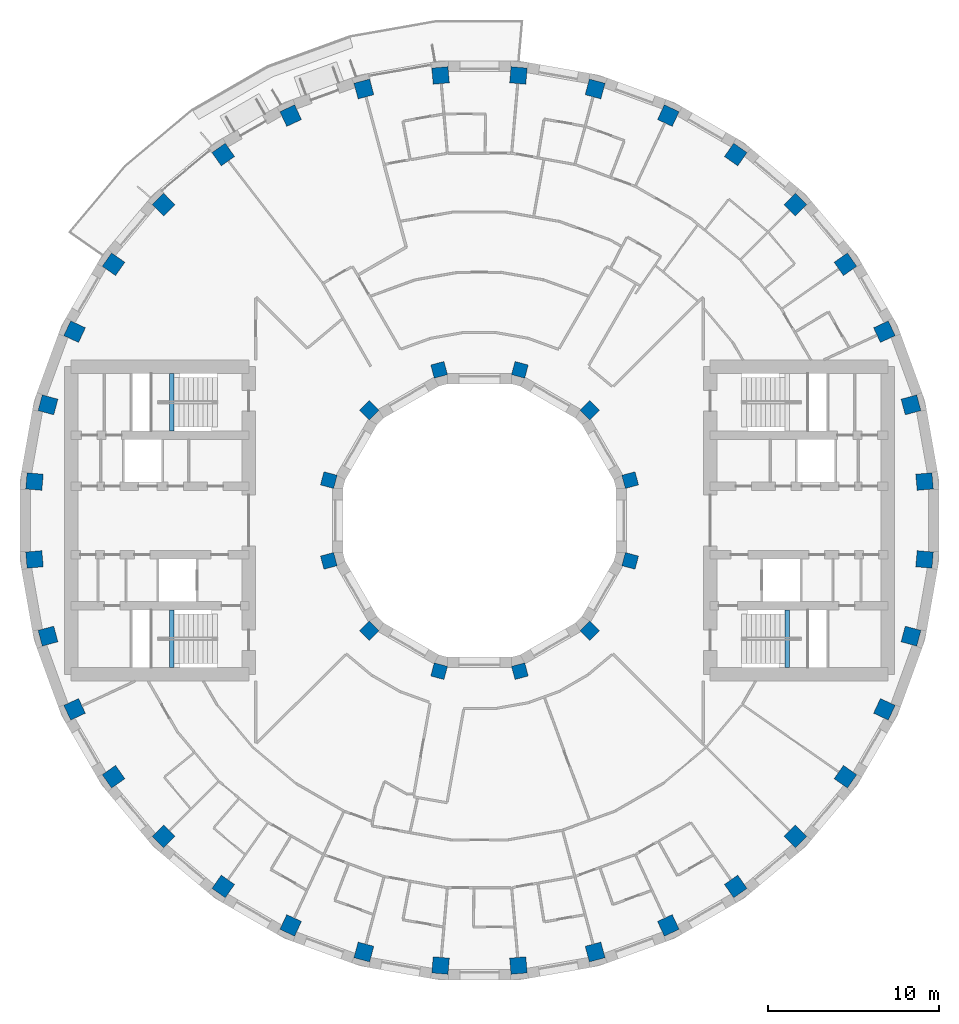
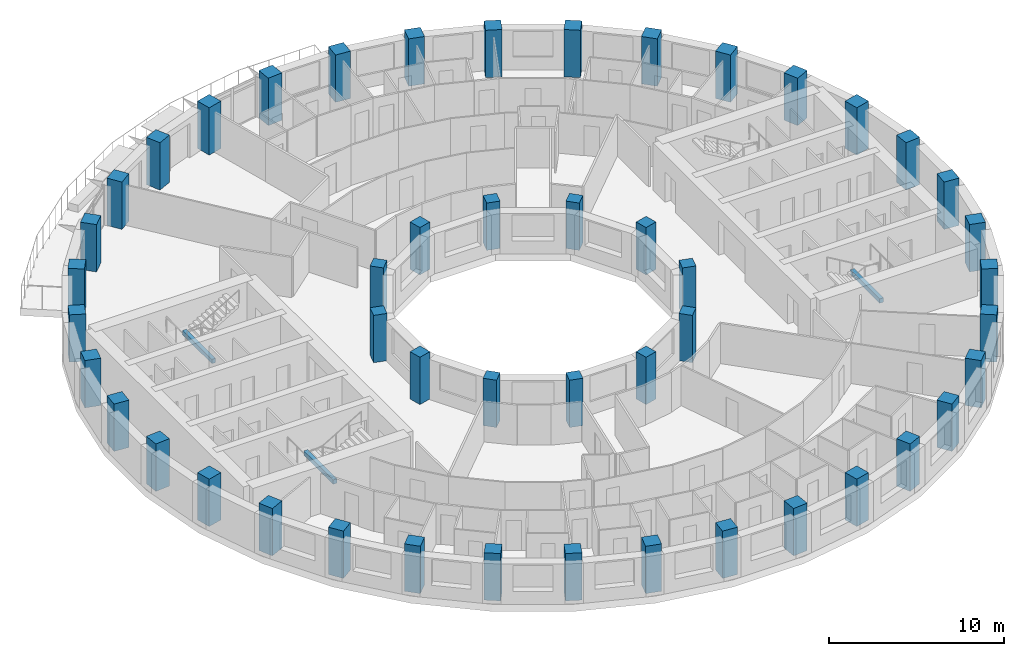
# One storey, part 1 of 14: 48 columns, 3 beams.
"""IFC4 building model written with IfcOpenShell, lengths in metres."""

import ifcopenshell
import ifcopenshell.guid

model = None  # the IFC model being written
_history = None  # IfcOwnerHistory: only IFC2X3 demands one
_inside = {}  # id of a spatial element -> (the spatial element, [elements in it])
_under = {}  # id of a project, library or spatial element -> (it, [spatial elements below it])
_declared = {}  # id of a project -> (the project, [libraries it declares])
_typed = {}  # id of a type object -> (the type object, [elements of that type])
_made_of = {}  # id of a material, layer set ... -> (it, [elements and type objects made of it])


def new_model(schema):
    """Start an empty IFC model of exactly this schema.

    Asked for "IFC4X3", IfcOpenShell would pick the latest addendum, in which some entities
    have other attributes; the version numbers below select the first issue.
    IFC2X3 requires an IfcOwnerHistory on every rooted entity: one is made here for all.
    """
    global model, _history
    if schema == "IFC4X3":
        model = ifcopenshell.file(schema_version=(4, 3, 0, 0))
    else:
        model = ifcopenshell.file(schema=schema)
    _inside.clear()
    _under.clear()
    _declared.clear()
    _typed.clear()
    _made_of.clear()
    _history = None
    if model.schema == "IFC2X3":
        org = make("IfcOrganization", Name="unknown")
        user = make(
            "IfcPersonAndOrganization",
            ThePerson=make("IfcPerson", FamilyName="unknown"),
            TheOrganization=org,
        )
        app = make(
            "IfcApplication",
            ApplicationDeveloper=org,
            Version="unknown",
            ApplicationFullName="unknown",
            ApplicationIdentifier="unknown",
        )
        _history = make(
            "IfcOwnerHistory",
            OwningUser=user,
            OwningApplication=app,
            ChangeAction="ADDED",
            CreationDate=0,
        )
    return model


def make(cls, **values):
    """One entity of the class cls with the attributes given. An attribute that is None is left unset."""
    return model.create_entity(
        cls, **{name: value for name, value in values.items() if value is not None}
    )


def rooted(cls, **values):
    """An entity with a GlobalId (a new one), such as an element, a storey or a relation."""
    return make(cls, GlobalId=ifcopenshell.guid.new(), OwnerHistory=_history, **values)


def si_unit(unit_type, name, prefix=None):
    """IfcSIUnit, for example si_unit("LENGTHUNIT", "METRE", prefix="MILLI")."""
    return make("IfcSIUnit", UnitType=unit_type, Prefix=prefix, Name=name)


def assignment(units):
    """IfcUnitAssignment: the units of a project."""
    return None if units is None else make("IfcUnitAssignment", Units=units)


def point(xyz):
    """IfcCartesianPoint."""
    return None if xyz is None else make("IfcCartesianPoint", Coordinates=xyz)


def direction(xyz):
    """IfcDirection."""
    return None if xyz is None else make("IfcDirection", DirectionRatios=xyz)


def frame(location, z_axis=None, x_axis=None):
    """IfcAxis2Placement3D, a coordinate frame: its origin and axes. An axis left out is left unset."""
    return make(
        "IfcAxis2Placement3D",
        Location=point(location),
        Axis=direction(z_axis),
        RefDirection=direction(x_axis),
    )


def frame_2d(location, x_axis=None):
    """IfcAxis2Placement2D, a coordinate frame in the plane: its origin and x axis."""
    return make(
        "IfcAxis2Placement2D", Location=point(location), RefDirection=direction(x_axis)
    )


def origin():
    """The frame at (0, 0, 0) with its axes left unset."""
    return frame((0.0, 0.0, 0.0))


def origin_2d():
    """The frame at (0, 0) in the plane with its x axis left unset."""
    return frame_2d((0.0, 0.0))


def place(relative_to, where):
    """IfcLocalPlacement: puts the frame where relative to a parent placement (None: the world)."""
    return make(
        "IfcLocalPlacement", PlacementRelTo=relative_to, RelativePlacement=where
    )


def context(
    kind, dimensions, precision=None, world=None, true_north=None, identifier=None
):
    """IfcGeometricRepresentationContext, for example the 3D "Model" context."""
    return make(
        "IfcGeometricRepresentationContext",
        ContextIdentifier=identifier,
        ContextType=kind,
        CoordinateSpaceDimension=dimensions,
        Precision=precision,
        WorldCoordinateSystem=world,
        TrueNorth=true_north,
    )


def subcontext(parent, identifier, kind, view, scale=None):
    """IfcGeometricRepresentationSubContext, for example "Body" below "Model"."""
    return make(
        "IfcGeometricRepresentationSubContext",
        ContextIdentifier=identifier,
        ContextType=kind,
        ParentContext=parent,
        TargetScale=scale,
        TargetView=view,
    )


def project(units=None, contexts=None):
    """IfcProject with its units and contexts."""
    return rooted(
        "IfcProject",
        Name="project",
        RepresentationContexts=contexts,
        UnitsInContext=assignment(units),
    )


def spatial(cls, under=None, at=None, **own):
    """A site, building, storey or space (cls), placed at a placement, below another one or the project."""
    s = rooted(cls, ObjectPlacement=at, **own)
    if under is not None:
        _under.setdefault(under.id(), (under, []))[1].append(s)
    return s


def profile(cls, at=None, kind="AREA", **sizes):
    """A parametric profile (cls). Its sizes go by their IFC names, for example OverallWidth=200.0."""
    return make(cls, ProfileType=kind, Position=at, **sizes)


def rectangle(**sizes):
    """IfcRectangleProfileDef."""
    return profile("IfcRectangleProfileDef", **sizes)


def extrude(swept, where, along, depth):
    """IfcExtrudedAreaSolid: the profile swept, set in the frame where, extruded along a direction by depth."""
    return make(
        "IfcExtrudedAreaSolid",
        SweptArea=swept,
        Position=where,
        ExtrudedDirection=direction(along),
        Depth=depth,
    )


def shape(context_of_items, identifier, shape_type, items):
    """IfcShapeRepresentation: the items that make up one representation, for example the "Body"."""
    return make(
        "IfcShapeRepresentation",
        ContextOfItems=context_of_items,
        RepresentationIdentifier=identifier,
        RepresentationType=shape_type,
        Items=items,
    )


def material(Name=None, Category=None):
    """IfcMaterial."""
    return make("IfcMaterial", Name=Name, Category=Category)


def material_profile(
    of_material, cross_section, Name=None, Category=None, Priority=None
):
    """IfcMaterialProfile: a cross section and its material."""
    return make(
        "IfcMaterialProfile",
        Name=Name,
        Material=of_material,
        Profile=cross_section,
        Priority=Priority,
        Category=Category,
    )


def profile_set(profiles, Name=None, composite=None):
    """IfcMaterialProfileSet."""
    return make(
        "IfcMaterialProfileSet",
        Name=Name,
        MaterialProfiles=profiles,
        CompositeProfile=composite,
    )


def made_of(thing, what):
    """Note that an element or type object is made of a material, layer set ...; save() writes the relation."""
    if what is not None:
        _made_of.setdefault(what.id(), (what, []))[1].append(thing)
    return thing


def type_object(cls, material=None, **own):
    """A type object (cls), such as IfcWallType, which elements share."""
    return made_of(rooted(cls, **own), material)


def element(
    cls,
    number,
    at=None,
    inside=None,
    cuts=None,
    type_object=None,
    material=None,
    context=None,
    identifier="Body",
    shape_type=None,
    held_by="IfcProductDefinitionShape",
    body=None,
    shapes=None,
    **own,
):
    """One element of the class cls, such as IfcWall. Its Tag is "e" and its number.

    at: its placement. inside: the storey or other place that contains it. cuts: it is an
    opening in that element (IfcRelVoidsElement). A single representation is given by context,
    identifier, shape_type and body (its items); several are given by shapes. held_by: the class
    of the entity that holds the representations. save() writes the other relations.
    """
    e = rooted(cls, Tag="e%d" % number, ObjectPlacement=at, **own)
    if body is not None:
        shapes = [shape(context, identifier, shape_type, body)]
    if shapes is not None:
        e.Representation = make(held_by, Representations=shapes)
    if inside is not None:
        _inside.setdefault(inside.id(), (inside, []))[1].append(e)
    if cuts is not None:
        rooted(
            "IfcRelVoidsElement", RelatingBuildingElement=cuts, RelatedOpeningElement=e
        )
    if type_object is not None:
        _typed.setdefault(type_object.id(), (type_object, []))[1].append(e)
    return made_of(e, material)


def aggregate(whole, parts):
    """IfcRelAggregates: a whole, such as a stair, and the parts it consists of."""
    return rooted("IfcRelAggregates", RelatingObject=whole, RelatedObjects=parts)


def save(model, path):
    """Write the relations noted so far, then the file.

    IfcRelAggregates (storeys below a building ...), IfcRelContainedInSpatialStructure (elements
    in a storey), IfcRelDefinesByType, IfcRelAssociatesMaterial and IfcRelDeclares: one each for
    every whole, place, type object, material and project.
    """
    for whole, parts in _under.values():
        aggregate(whole, parts)
    for where, things in _inside.values():
        rooted(
            "IfcRelContainedInSpatialStructure",
            RelatedElements=things,
            RelatingStructure=where,
        )
    for kind, things in _typed.values():
        rooted("IfcRelDefinesByType", RelatedObjects=things, RelatingType=kind)
    for what, things in _made_of.values():
        rooted("IfcRelAssociatesMaterial", RelatedObjects=things, RelatingMaterial=what)
    for by, libraries in _declared.values():
        rooted("IfcRelDeclares", RelatingContext=by, RelatedDefinitions=libraries)
    model.write(path)


model = new_model("IFC4")

# Units and contexts
model_context = context("Model", 3, precision=1e-05, world=origin(), true_north=direction((0.0, 1.0)))
body_context = subcontext(model_context, "Body", "Model", "MODEL_VIEW")
ifc_project = project(units=[si_unit("LENGTHUNIT", "METRE"), si_unit("AREAUNIT", "SQUARE_METRE"), si_unit("VOLUMEUNIT", "CUBIC_METRE"), si_unit("PLANEANGLEUNIT", "RADIAN"), si_unit("MASSUNIT", "GRAM", prefix="KILO")], contexts=[model_context])

# Site, building, storey
site_placement = place(None, origin())
site = spatial("IfcSite", under=ifc_project, at=site_placement, CompositionType="ELEMENT")
building_placement = place(site_placement, origin())
building = spatial("IfcBuilding", under=site, at=building_placement, Name="Saqina Gate Tower", CompositionType="ELEMENT")
storey_placement = place(building_placement, frame((0.0, 0.0, 91.89990234375)))
storey = spatial("IfcBuildingStorey", under=building, at=storey_placement, Name="L25", CompositionType="ELEMENT", Elevation=91.89990234375)

# Columns
ifc_material_1 = material(Name="Concrete C70/85", Category="concrete")
ifc_material_profile_1 = material_profile(ifc_material_1, rectangle(XDim=0.800048828125, YDim=0.800048828125, at=origin_2d()), Name="RC 800x800")
ifc_profile_set_1 = profile_set([ifc_material_profile_1], Name="Concrete C70/85")
column_type_1 = type_object("IfcColumnType", Name="STR-COL-IN-B", PredefinedType="COLUMN", material=ifc_profile_set_1)
for number, where, z_axis, x_axis, name in (
    (1, (8.821044921875, 2.363525390625, 0.0), (0.0, 0.0, 1.0), (0.965925826289, 0.258819045103, 0.0), "L25-ICL01"),
    (2, (6.45751953125, 6.45751953125, 0.0), (0.0, 0.0, 1.0), (0.707106781187, 0.707106781187, 0.0), "L25-ICL02"),
    (3, (2.363525390625, 8.821044921875, 0.0), (0.0, 0.0, 1.0), (0.258819045103, 0.965925826289, 0.0), "L25-ICL03"),
    (4, (-2.363525390625, 8.821044921875, 0.0), (0.0, 0.0, 1.0), (-0.258819045103, 0.965925826289, 0.0), "L25-ICL04"),
    (5, (-6.45751953125, 6.45751953125, 0.0), (0.0, 0.0, 1.0), (-0.707106781187, 0.707106781187, 0.0), "L25-ICL05"),
    (6, (-8.821044921875, 2.363525390625, 0.0), (0.0, 0.0, 1.0), (-0.965925826289, 0.258819045103, 0.0), "L25-ICL06"),
    (7, (-8.821044921875, -2.363525390625, 0.0), (0.0, 0.0, 1.0), (-0.965925826289, -0.258819045103, 0.0), "L25-ICL07"),
    (8, (-6.45751953125, -6.45751953125, 0.0), (0.0, 0.0, 1.0), (-0.707106781187, -0.707106781187, 0.0), "L25-ICL08"),
    (9, (-2.363525390625, -8.821044921875, 0.0), (0.0, 0.0, 1.0), (-0.258819045103, -0.965925826289, 0.0), "L25-ICL09"),
    (10, (2.363525390625, -8.821044921875, 0.0), (0.0, 0.0, 1.0), (0.258819045103, -0.965925826289, 0.0), "L25-ICL10"),
    (11, (6.45751953125, -6.45751953125, 0.0), (0.0, 0.0, 1.0), (0.707106781187, -0.707106781187, 0.0), "L25-ICL11"),
    (12, (8.821044921875, -2.363525390625, 0.0), (0.0, 0.0, 1.0), (0.965925826289, -0.258819045103, 0.0), "L25-ICL12"),
):
    element("IfcColumn", number, at=place(storey_placement, frame(where, z_axis=z_axis, x_axis=x_axis)), inside=storey, type_object=column_type_1, Name=name, PredefinedType="COLUMN", context=body_context, shape_type="SweptSolid", body=[
        extrude(rectangle(XDim=0.800048828125, YDim=0.800048828125, at=origin_2d()), origin(), (0.0, 0.0, 1.0), 3.300048828125),
    ])
ifc_material_2 = material(Name="Concrete C70/85", Category="concrete")
ifc_material_profile_2 = material_profile(ifc_material_2, rectangle(XDim=0.949951171875, YDim=0.949951171875, at=origin_2d()), Name="RC 950x950")
ifc_profile_set_2 = profile_set([ifc_material_profile_2], Name="Concrete C70/85")
column_type_2 = type_object("IfcColumnType", Name="STR-COL-OUT-B", PredefinedType="COLUMN", material=ifc_profile_set_2)
for number, where, z_axis, x_axis, name in (
    (13, (26.050537109375, 2.279052734375, 0.0), (0.0, 0.0, 1.0), (0.996194698092, 0.087155742748, 0.0), "L25-COL01"),
    (14, (25.259033203125, 6.76806640625, 0.0), (0.0, 0.0, 1.0), (0.965925826289, 0.258819045103, 0.0), "L25-COL02"),
    (15, (23.699951171875, 11.051513671875, 0.0), (0.0, 0.0, 1.0), (0.906307787037, 0.422618261741, 0.0), "L25-COL03"),
    (16, (21.4208984375, 14.9990234375, 0.0), (0.0, 0.0, 1.0), (0.819152044289, 0.573576436351, 0.0), "L25-COL04"),
    (17, (18.49072265625, 18.49072265625, 0.0), (0.0, 0.0, 1.0), (0.707106781187, 0.707106781187, 0.0), "L25-COL05"),
    (18, (14.9990234375, 21.4208984375, 0.0), (0.0, 0.0, 1.0), (0.573576436351, 0.819152044289, 0.0), "L25-COL06"),
    (19, (11.051513671875, 23.699951171875, 0.0), (0.0, 0.0, 1.0), (0.422618261741, 0.906307787037, 0.0), "L25-COL07"),
    (20, (6.76806640625, 25.259033203125, 0.0), (0.0, 0.0, 1.0), (0.258819045103, 0.965925826289, 0.0), "L25-COL08"),
    (21, (2.279052734375, 26.050537109375, 0.0), (0.0, 0.0, 1.0), (0.087155742748, 0.996194698092, 0.0), "L25-COL09"),
    (22, (-2.279052734375, 26.050537109375, 0.0), (0.0, 0.0, 1.0), (-0.087155742748, 0.996194698092, 0.0), "L25-COL10"),
    (23, (-6.76806640625, 25.259033203125, 0.0), (0.0, 0.0, 1.0), (-0.258819045103, 0.965925826289, 0.0), "L25-COL11"),
    (24, (-11.051513671875, 23.699951171875, 0.0), (0.0, 0.0, 1.0), (-0.422618261741, 0.906307787037, 0.0), "L25-COL12"),
    (25, (-14.9990234375, 21.4208984375, 0.0), (0.0, 0.0, 1.0), (-0.573576436351, 0.819152044289, 0.0), "L25-COL13"),
    (26, (-18.49072265625, 18.49072265625, 0.0), (0.0, 0.0, 1.0), (-0.707106781187, 0.707106781187, 0.0), "L25-COL14"),
    (27, (-21.4208984375, 14.9990234375, 0.0), (0.0, 0.0, 1.0), (-0.819152044289, 0.573576436351, 0.0), "L25-COL15"),
    (28, (-23.699951171875, 11.051513671875, 0.0), (0.0, 0.0, 1.0), (-0.906307787037, 0.422618261741, 0.0), "L25-COL16"),
    (29, (-25.259033203125, 6.76806640625, 0.0), (0.0, 0.0, 1.0), (-0.965925826289, 0.258819045103, 0.0), "L25-COL17"),
    (30, (-26.050537109375, 2.279052734375, 0.0), (0.0, 0.0, 1.0), (-0.996194698092, 0.087155742748, 0.0), "L25-COL18"),
    (31, (-26.050537109375, -2.279052734375, 0.0), (0.0, 0.0, 1.0), (-0.996194698092, -0.087155742748, 0.0), "L25-COL19"),
    (32, (-25.259033203125, -6.76806640625, 0.0), (0.0, 0.0, 1.0), (-0.965925826289, -0.258819045103, 0.0), "L25-COL20"),
    (33, (-23.699951171875, -11.051513671875, 0.0), (0.0, 0.0, 1.0), (-0.906307787037, -0.422618261741, 0.0), "L25-COL21"),
    (34, (-21.4208984375, -14.9990234375, 0.0), (0.0, 0.0, 1.0), (-0.819152044289, -0.573576436351, 0.0), "L25-COL22"),
    (35, (-18.49072265625, -18.49072265625, 0.0), (0.0, 0.0, 1.0), (-0.707106781187, -0.707106781187, 0.0), "L25-COL23"),
    (36, (-14.9990234375, -21.4208984375, 0.0), (0.0, 0.0, 1.0), (-0.573576436351, -0.819152044289, 0.0), "L25-COL24"),
    (37, (-11.051513671875, -23.699951171875, 0.0), (0.0, 0.0, 1.0), (-0.422618261741, -0.906307787037, 0.0), "L25-COL25"),
    (38, (-6.76806640625, -25.259033203125, 0.0), (0.0, 0.0, 1.0), (-0.258819045103, -0.965925826289, 0.0), "L25-COL26"),
    (39, (-2.279052734375, -26.050537109375, 0.0), (0.0, 0.0, 1.0), (-0.087155742748, -0.996194698092, 0.0), "L25-COL27"),
    (40, (2.279052734375, -26.050537109375, 0.0), (0.0, 0.0, 1.0), (0.087155742748, -0.996194698092, 0.0), "L25-COL28"),
    (41, (6.76806640625, -25.259033203125, 0.0), (0.0, 0.0, 1.0), (0.258819045103, -0.965925826289, 0.0), "L25-COL29"),
    (42, (11.051513671875, -23.699951171875, 0.0), (0.0, 0.0, 1.0), (0.422618261741, -0.906307787037, 0.0), "L25-COL30"),
    (43, (14.9990234375, -21.4208984375, 0.0), (0.0, 0.0, 1.0), (0.573576436351, -0.819152044289, 0.0), "L25-COL31"),
    (44, (18.49072265625, -18.49072265625, 0.0), (0.0, 0.0, 1.0), (0.707106781187, -0.707106781187, 0.0), "L25-COL32"),
    (45, (21.4208984375, -14.9990234375, 0.0), (0.0, 0.0, 1.0), (0.819152044289, -0.573576436351, 0.0), "L25-COL33"),
    (46, (23.699951171875, -11.051513671875, 0.0), (0.0, 0.0, 1.0), (0.906307787037, -0.422618261741, 0.0), "L25-COL34"),
    (47, (25.259033203125, -6.76806640625, 0.0), (0.0, 0.0, 1.0), (0.965925826289, -0.258819045103, 0.0), "L25-COL35"),
    (48, (26.050537109375, -2.279052734375, 0.0), (0.0, 0.0, 1.0), (0.996194698092, -0.087155742748, 0.0), "L25-COL36"),
):
    element("IfcColumn", number, at=place(storey_placement, frame(where, z_axis=z_axis, x_axis=x_axis)), inside=storey, type_object=column_type_2, Name=name, PredefinedType="COLUMN", context=body_context, shape_type="SweptSolid", body=[
        extrude(rectangle(XDim=0.949951171875, YDim=0.949951171875, at=origin_2d()), origin(), (0.0, 0.0, 1.0), 3.300048828125),
    ])

# Beams
ifc_material_3 = material(Name="Concrete C40/50", Category="concrete")
ifc_material_profile_3 = material_profile(ifc_material_3, rectangle(XDim=0.25, YDim=0.300048828125, at=origin_2d()), Name="STAIR LANDING BEAM")
ifc_profile_set_3 = profile_set([ifc_material_profile_3], Name="Concrete C40/50")
beam_type = type_object("IfcBeamType", Name="STAIR LANDING BEAM", PredefinedType="BEAM", material=ifc_profile_set_3)
for number, where, z_axis, x_axis, name in (
    (49, (18.02001953125, -8.60009765625, 1.25), (0.0, 1.0, 0.0), (-1.0, 0.0, 0.0), "EXIT STAIR 2 LANDING BEAM"),
    (50, (-18.02001953125, 5.25, 1.25), (0.0, 1.0, 0.0), (-1.0, 0.0, 0.0), "EXIT STAIR 3 LANDING BEAM"),
    (51, (-18.02001953125, -8.60009765625, 1.25), (0.0, 1.0, 0.0), (-1.0, 0.0, 0.0), "EXIT STAIR 4 LANDING BEAM"),
):
    element("IfcBeam", number, at=place(storey_placement, frame(where, z_axis=z_axis, x_axis=x_axis)), inside=storey, type_object=beam_type, Name=name, PredefinedType="BEAM", context=body_context, shape_type="SweptSolid", body=[
        extrude(rectangle(XDim=0.25, YDim=0.300048828125, at=origin_2d()), origin(), (0.0, 0.0, 1.0), 3.35009765625),
    ])

save(model, "model.ifc")
